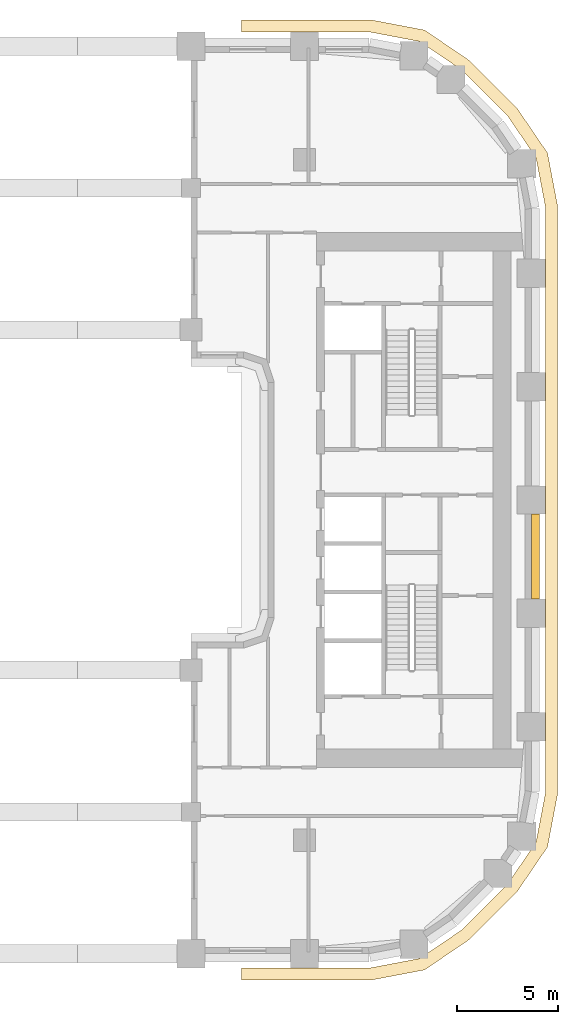
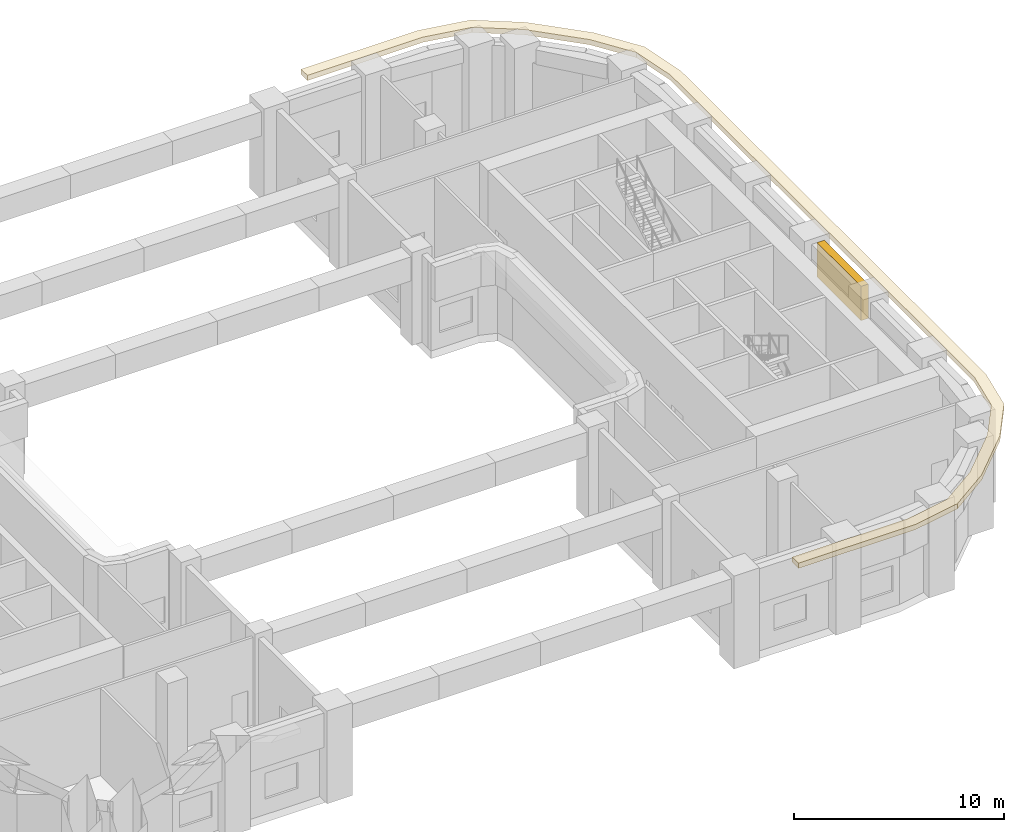
# One storey, part 12 of 14: 2 coverings.
"""IFC4 building model written with IfcOpenShell, lengths in metres."""

from ifc_helpers import new_model, si_unit, direction, frame, origin, origin_2d, place, context, subcontext, project, spatial, polyline, rectangle, outline, extrude, material, layer, layer_set, type_object, element, save


model = new_model("IFC4")

# Units and contexts
model_context = context("Model", 3, precision=1e-05, world=origin(), true_north=direction((0.0, 1.0)))
body_context = subcontext(model_context, "Body", "Model", "MODEL_VIEW")
ifc_project = project(units=[si_unit("LENGTHUNIT", "METRE"), si_unit("AREAUNIT", "SQUARE_METRE"), si_unit("VOLUMEUNIT", "CUBIC_METRE"), si_unit("PLANEANGLEUNIT", "RADIAN"), si_unit("MASSUNIT", "GRAM", prefix="KILO")], contexts=[model_context])

# Site, building, storey
site_placement = place(None, origin())
site = spatial("IfcSite", under=ifc_project, at=site_placement, CompositionType="ELEMENT")
building_placement = place(site_placement, origin())
building = spatial("IfcBuilding", under=site, at=building_placement, Name="Kiln Ring Residences", CompositionType="ELEMENT")
storey_placement = place(building_placement, frame((0.0, 0.0, 77.89990234375)))
storey = spatial("IfcBuildingStorey", under=building, at=storey_placement, Name="L19", CompositionType="ELEMENT", Elevation=77.89990234375)

# Coverings
ifc_material_1 = material(Name="Black powder-coated steel", Category="steel")
ifc_layer = layer(ifc_material_1, 0.300048828125)
ifc_layer_set = layer_set([ifc_layer], Name="SUNSHADE FIN 600")
covering_type_1 = type_object("IfcCoveringType", Name="SUNSHADE FIN 600", PredefinedType="CLADDING", material=ifc_layer_set)
covering_1_placement = place(storey_placement, frame((0.0, 0.0, 5.10009765625)))
element("IfcCovering", 1, at=covering_1_placement, inside=storey, type_object=covering_type_1, Name="SUNSHADE FIN L19", PredefinedType="CLADDING", context=body_context, shape_type="SweptSolid", body=[
    extrude(outline(polyline([(20.122802734375, 23.699951171875), (13.699951171875, 23.699951171875), (13.699951171875, 23.10009765625), (20.066162109375, 23.10009765625), (22.497802734375, 22.63623046875), (24.545166015625, 21.24462890625), (26.8447265625, 18.9453125), (28.236083984375, 16.897705078125), (28.699951171875, 14.46630859375), (28.699951171875, -14.46630859375), (28.236083984375, -16.897705078125), (26.8447265625, -18.9453125), (24.545166015625, -21.24462890625), (22.497802734375, -22.63623046875), (20.066162109375, -23.10009765625), (13.699951171875, -23.10009765625), (13.699951171875, -23.699951171875), (20.122802734375, -23.699951171875), (22.732421875, -23.202392578125), (24.929443359375, -21.708984375), (27.30908203125, -19.329345703125), (28.80224609375, -17.13232421875), (29.300048828125, -14.52294921875), (29.300048828125, 14.52294921875), (28.80224609375, 17.13232421875), (27.30908203125, 19.329345703125), (24.929443359375, 21.708984375), (22.732421875, 23.202392578125), (20.122802734375, 23.699951171875)])), origin(), (0.0, 0.0, 1.0), 0.300048828125),
])
ifc_material_2 = material(Name="Concrete C35/45, exposed aggregate finish", Category="concrete")
covering_type_2 = type_object("IfcCoveringType", Name="TIE BAND 2000 x 400", PredefinedType="CLADDING", material=ifc_material_2)
covering_2_placement = place(storey_placement, frame((28.199951171875, -2.800048828125, 3.10009765625), z_axis=(0.0, 0.0, 1.0), x_axis=(0.0, 1.0, 0.0)))
element("IfcCovering", 2, at=covering_2_placement, inside=storey, type_object=covering_type_2, Name="TIE BAND L19", PredefinedType="CLADDING", context=body_context, shape_type="SweptSolid", body=[
    extrude(rectangle(XDim=4.199951171875, YDim=0.39990234375, at=origin_2d()), origin(), (0.0, 0.0, 1.0), 2.0),
])

save(model, "model.ifc")
